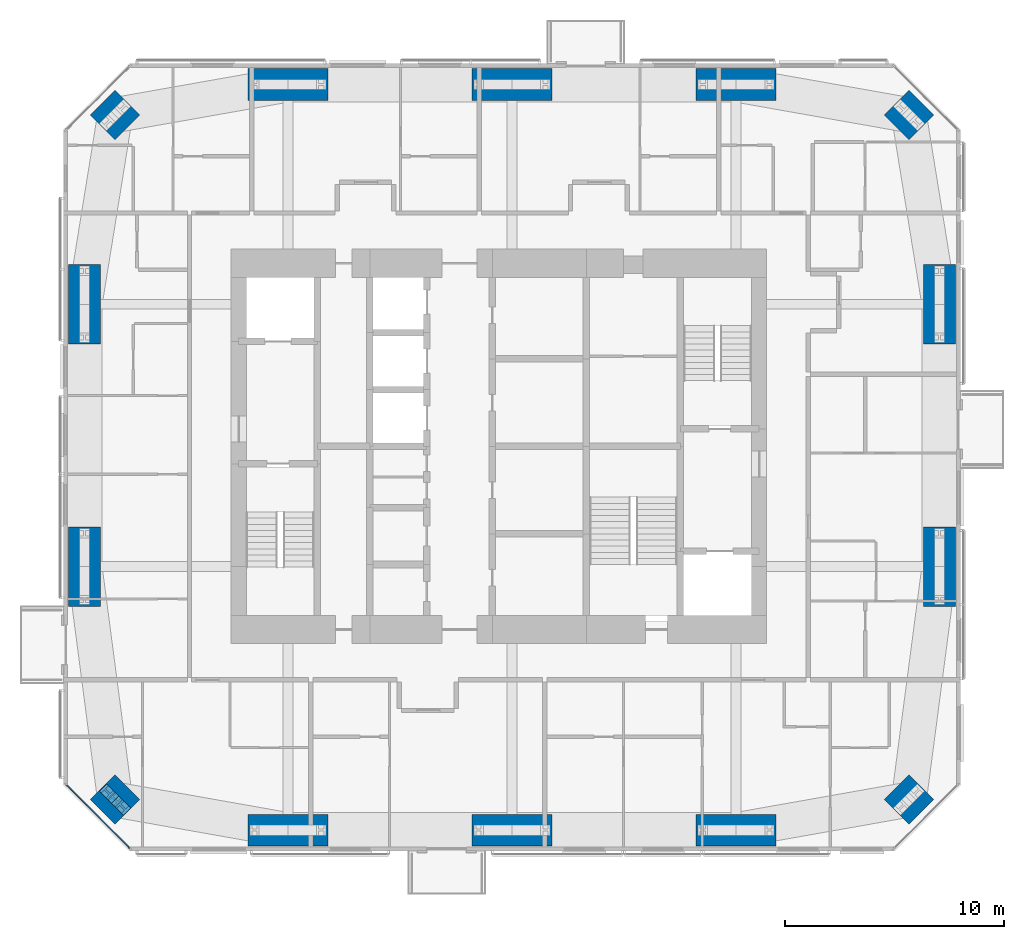
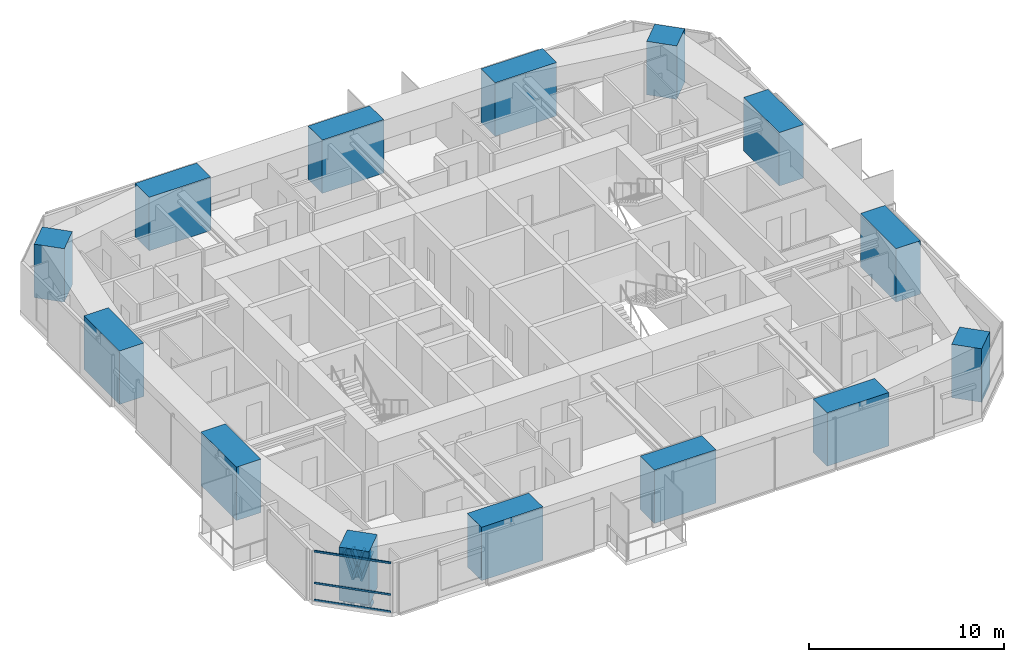
# One storey, part 1 of 23: 14 columns, 7 members, 1 element without a shape of its own.
"""IFC4 building model written with IfcOpenShell, lengths in metres."""

from ifc_helpers import new_model, si_unit, direction, frame, origin, origin_2d, place, context, subcontext, project, spatial, rectangle, i_section, extrude, material, material_profile, profile_set, type_object, element, aggregate, save


model = new_model("IFC4")

# Units and contexts
model_context = context("Model", 3, precision=1e-05, world=origin(), true_north=direction((0.0, 1.0)))
body_context = subcontext(model_context, "Body", "Model", "MODEL_VIEW")
ifc_project = project(units=[si_unit("LENGTHUNIT", "METRE"), si_unit("AREAUNIT", "SQUARE_METRE"), si_unit("VOLUMEUNIT", "CUBIC_METRE"), si_unit("PLANEANGLEUNIT", "RADIAN"), si_unit("MASSUNIT", "GRAM", prefix="KILO")], contexts=[model_context])

# Site, building, storey
site_placement = place(None, origin())
site = spatial("IfcSite", under=ifc_project, at=site_placement, CompositionType="ELEMENT")
building_placement = place(site_placement, origin())
building = spatial("IfcBuilding", under=site, at=building_placement, Name="Jalousie Tower", CompositionType="ELEMENT")
storey_placement = place(building_placement, frame((0.0, 0.0, 184.5)))
storey = spatial("IfcBuildingStorey", under=building, at=storey_placement, Name="L50", CompositionType="ELEMENT", Elevation=184.5)

# Columns
ifc_material_1 = material(Name="Concrete f'c 120 MPa", Category="concrete")
ifc_material_profile_1 = material_profile(ifc_material_1, rectangle(XDim=1.449951171875, YDim=3.64990234375, at=origin_2d()), Name="RC 1450x3650")
ifc_profile_set_1 = profile_set([ifc_material_profile_1], Name="Concrete f'c 120 MPa")
column_type_1 = type_object("IfcColumnType", Name="RC COLUMN 1450x3650", PredefinedType="COLUMN", material=ifc_profile_set_1)
for number, where, z_axis, x_axis, name in (
    (1, (22.25, 0.949951171875, 0.0), (0.0, 0.0, 1.0), (0.0, 1.0, 0.0), "Column 02 L50"),
    (2, (32.5, 0.949951171875, 0.0), (0.0, 0.0, 1.0), (0.0, 1.0, 0.0), "Column 03 L50"),
    (3, (42.75, 0.949951171875, 0.0), (0.0, 0.0, 1.0), (0.0, 1.0, 0.0), "Column 04 L50"),
    (4, (52.050048828125, 13.0, 0.0), (0.0, 0.0, 1.0), (1.0, 0.0, 0.0), "Column 06 L50"),
    (5, (52.050048828125, 25.0, 0.0), (0.0, 0.0, 1.0), (1.0, 0.0, 0.0), "Column 07 L50"),
    (6, (42.75, 35.050048828125, 0.0), (0.0, 0.0, 1.0), (0.0, 1.0, 0.0), "Column 09 L50"),
    (7, (32.5, 35.050048828125, 0.0), (0.0, 0.0, 1.0), (0.0, 1.0, 0.0), "Column 10 L50"),
    (8, (22.25, 35.050048828125, 0.0), (0.0, 0.0, 1.0), (0.0, 1.0, 0.0), "Column 11 L50"),
    (9, (12.949951171875, 25.0, 0.0), (0.0, 0.0, 1.0), (1.0, 0.0, 0.0), "Column 13 L50"),
    (10, (12.949951171875, 13.0, 0.0), (0.0, 0.0, 1.0), (1.0, 0.0, 0.0), "Column 14 L50"),
):
    element("IfcColumn", number, at=place(storey_placement, frame(where, z_axis=z_axis, x_axis=x_axis)), inside=storey, type_object=column_type_1, Name=name, PredefinedType="COLUMN", context=body_context, shape_type="SweptSolid", body=[
        extrude(rectangle(XDim=1.449951171875, YDim=3.64990234375, at=origin_2d()), origin(), (0.0, 0.0, 1.0), 3.35009765625),
    ])
ifc_material_2 = material(Name="Concrete f'c 120 MPa", Category="concrete")
ifc_material_profile_2 = material_profile(ifc_material_2, rectangle(XDim=1.60009765625, YDim=1.60009765625, at=origin_2d()), Name="RC 1600x1600")
ifc_profile_set_2 = profile_set([ifc_material_profile_2], Name="Concrete f'c 120 MPa")
column_type_2 = type_object("IfcColumnType", Name="RC COLUMN 1600x1600", PredefinedType="COLUMN", material=ifc_profile_set_2)
for number, where, z_axis, x_axis, name in (
    (11, (14.348388671875, 2.348388671875, 0.0), (0.0, 0.0, 1.0), (0.707106781187, 0.707106781187, 0.0), "Column 01 L50"),
    (12, (50.651611328125, 2.348388671875, 0.0), (0.0, 0.0, 1.0), (0.707106781187, 0.707106781187, 0.0), "Column 05 L50"),
    (13, (50.651611328125, 33.651611328125, 0.0), (0.0, 0.0, 1.0), (0.707106781187, 0.707106781187, 0.0), "Column 08 L50"),
    (14, (14.348388671875, 33.651611328125, 0.0), (0.0, 0.0, 1.0), (0.707106781187, 0.707106781187, 0.0), "Column 12 L50"),
):
    element("IfcColumn", number, at=place(storey_placement, frame(where, z_axis=z_axis, x_axis=x_axis)), inside=storey, type_object=column_type_2, Name=name, PredefinedType="COLUMN", context=body_context, shape_type="SweptSolid", body=[
        extrude(rectangle(XDim=1.60009765625, YDim=1.60009765625, at=origin_2d()), origin(), (0.0, 0.0, 1.0), 3.35009765625),
    ])

# Curtain wall, members
ifc_material_3 = material(Name="Aluminium curtain wall", Category="aluminium")
curtain_wall_type = type_object("IfcCurtainWallType", Name="CORNER WINDOW WALL", PredefinedType="USERDEFINED", material=ifc_material_3)
curtain_wall_placement = place(storey_placement, origin())
curtain_wall = element("IfcCurtainWall", 15, at=curtain_wall_placement, inside=storey, type_object=curtain_wall_type, Name="Corner Window Wall L50 8", ObjectType="CORNER WINDOW WALL", PredefinedType="USERDEFINED")
ifc_material_4 = material(Name="Aluminium transom", Category="aluminium")
ifc_material_profile_3 = material_profile(ifc_material_4, rectangle(XDim=0.06005859375, YDim=0.1201171875, at=origin_2d()), Name="TRANSOM 60x120")
ifc_profile_set_3 = profile_set([ifc_material_profile_3], Name="Aluminium transom")
member_type_1 = type_object("IfcMemberType", Name="CORNER WINDOW WALL TRANSOM", PredefinedType="USERDEFINED", material=ifc_profile_set_3)
member_1_placement = place(storey_placement, frame((12.1298828125, 3.0087890625, 0.030029296875), z_axis=(0.707106781187, -0.707106781187, 0.0), x_axis=(0.707106781187, 0.707106781187, 0.0)))
member_1 = element("IfcMember", 16, at=member_1_placement, type_object=member_type_1, Name="CW-C transom 1.1", ObjectType="TRANSOM", PredefinedType="USERDEFINED", context=body_context, shape_type="SweptSolid", body=[
    extrude(rectangle(XDim=0.06005859375, YDim=0.1201171875, at=origin_2d()), origin(), (0.0, 0.0, 1.0), 4.0712890625),
])
member_2_placement = place(storey_placement, frame((12.1298828125, 3.0087890625, 1.10009765625), z_axis=(0.707106781187, -0.707106781187, 0.0), x_axis=(0.707106781187, 0.707106781187, 0.0)))
member_2 = element("IfcMember", 17, at=member_2_placement, type_object=member_type_1, Name="CW-C transom 1.2", ObjectType="TRANSOM", PredefinedType="USERDEFINED", context=body_context, shape_type="SweptSolid", body=[
    extrude(rectangle(XDim=0.06005859375, YDim=0.1201171875, at=origin_2d()), origin(), (0.0, 0.0, 1.0), 4.0712890625),
])
member_3_placement = place(storey_placement, frame((12.1298828125, 3.0087890625, 3.080078125), z_axis=(0.707106781187, -0.707106781187, 0.0), x_axis=(0.707106781187, 0.707106781187, 0.0)))
member_3 = element("IfcMember", 18, at=member_3_placement, type_object=member_type_1, Name="CW-C transom 1.3", ObjectType="TRANSOM", PredefinedType="USERDEFINED", context=body_context, shape_type="SweptSolid", body=[
    extrude(rectangle(XDim=0.06005859375, YDim=0.1201171875, at=origin_2d()), origin(), (0.0, 0.0, 1.0), 4.0712890625),
])
aggregate(curtain_wall, [member_1, member_2, member_3])

# Members
ifc_material_5 = material(Name="Steel ASTM A992 Grade 50", Category="steel")
ifc_material_profile_4 = material_profile(ifc_material_5, i_section(OverallWidth=0.472412109375, OverallDepth=0.5791015625, WebThickness=0.094970703125, FlangeThickness=0.1298828125, at=origin_2d()), Name="W14X808")
ifc_profile_set_4 = profile_set([ifc_material_profile_4], Name="Steel ASTM A992 Grade 50")
member_type_2 = type_object("IfcMemberType", Name="PERIMETER BRACE W14X808", PredefinedType="BRACE", material=ifc_profile_set_4)
for number, where, z_axis, x_axis, name in (
    (19, (13.9951171875, 2.7021484375, -0.60009765625), (0.202092742837, -0.202372069365, 0.958229653493), (0.707594945859, 0.706618279267, 0.0), "Perimeter brace 01 L50 part 1"),
    (20, (14.348388671875, 2.348388671875, 1.074951171875), (0.202372069365, -0.202092742837, 0.958229653493), (0.706618279267, 0.707594945859, 0.0), "Perimeter brace 01 L50 part 2"),
    (21, (14.7021484375, 1.9951171875, -0.60009765625), (-0.202372069365, 0.202092742837, 0.958229653493), (-0.706618279267, -0.707594945859, 0.0), "Perimeter brace 01 L50 part 3"),
    (22, (14.348388671875, 2.348388671875, 1.074951171875), (-0.202092742837, 0.202372069365, 0.958229653493), (-0.707594945859, -0.706618279267, 0.0), "Perimeter brace 01 L50 part 4"),
):
    element("IfcMember", number, at=place(storey_placement, frame(where, z_axis=z_axis, x_axis=x_axis)), inside=storey, type_object=member_type_2, Name=name, PredefinedType="BRACE", context=body_context, shape_type="SweptSolid", body=[
        extrude(i_section(OverallWidth=0.472412109375, OverallDepth=0.5791015625, WebThickness=0.094970703125, FlangeThickness=0.1298828125, at=origin_2d()), origin(), (0.0, 0.0, 1.0), 1.748046875),
    ])

save(model, "model.ifc")
